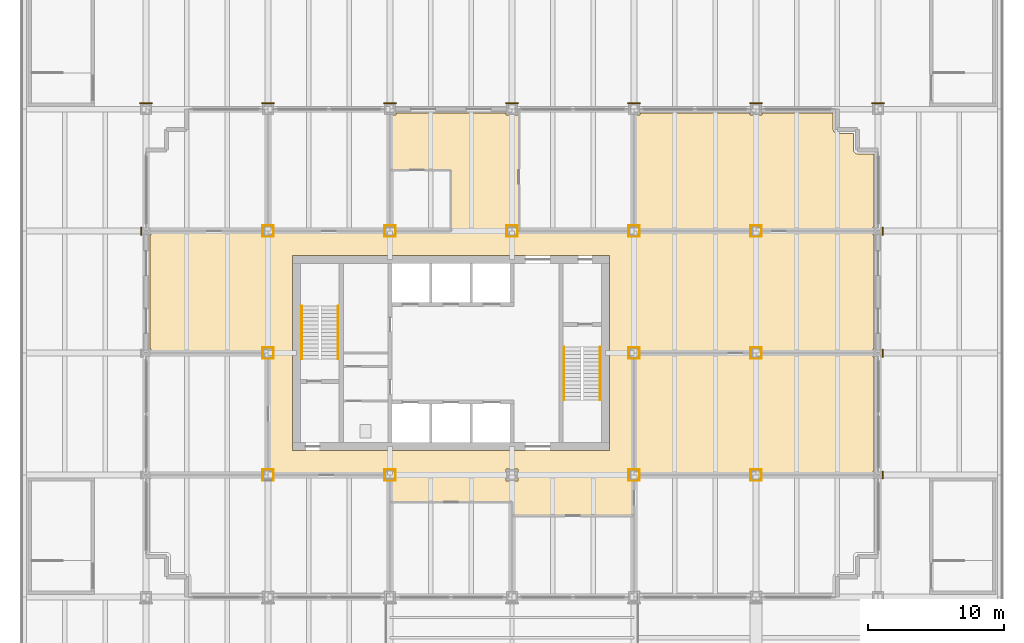
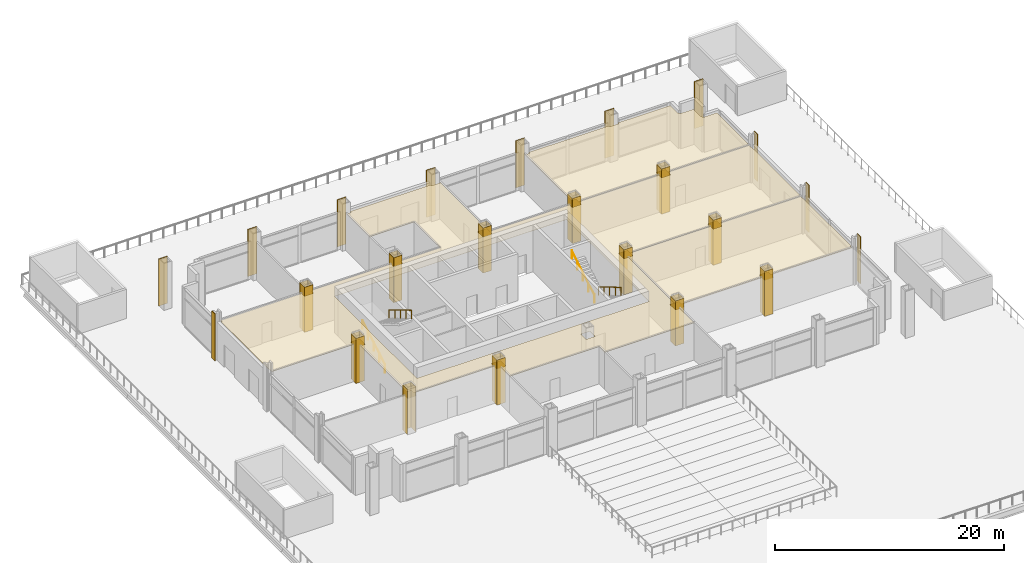
# One storey, part 14 of 16: 61 coverings, 4 railings.
"""IFC4 building model written with IfcOpenShell, lengths in metres."""

from ifc_helpers import new_model, si_unit, direction, frame, origin, origin_2d, place, context, subcontext, project, spatial, polyline, rectangle, circle, outline, extrude, material, layer, layer_set, type_object, element, save


model = new_model("IFC4")

# Units and contexts
model_context = context("Model", 3, precision=1e-05, world=origin(), true_north=direction((0.0, 1.0)))
body_context = subcontext(model_context, "Body", "Model", "MODEL_VIEW")
ifc_project = project(units=[si_unit("LENGTHUNIT", "METRE"), si_unit("AREAUNIT", "SQUARE_METRE"), si_unit("VOLUMEUNIT", "CUBIC_METRE"), si_unit("PLANEANGLEUNIT", "RADIAN"), si_unit("MASSUNIT", "GRAM", prefix="KILO")], contexts=[model_context])

# Site, building, storey
site_placement = place(None, origin())
site = spatial("IfcSite", under=ifc_project, at=site_placement, CompositionType="ELEMENT")
building_placement = place(site_placement, origin())
building = spatial("IfcBuilding", under=site, at=building_placement, Name="Loomwork Tower", CompositionType="ELEMENT")
storey_placement = place(building_placement, frame((0.0, 0.0, 23.0)))
storey = spatial("IfcBuildingStorey", under=building, at=storey_placement, Name="L04", CompositionType="ELEMENT", Elevation=23.0)

# Coverings
ifc_material_1 = material(Name="Two-hour fire-rated gypsum board casing")
ifc_layer_1 = layer(ifc_material_1, 0.02490234375)
ifc_layer_set_1 = layer_set([ifc_layer_1], Name="Column fire casing 25")
covering_type_1 = type_object("IfcCoveringType", Name="Column fire casing 25", PredefinedType="CLADDING", material=ifc_layer_set_1)
covering_1_placement = place(storey_placement, frame((9.0, 9.41259765625, 0.0), z_axis=(0.0, 0.0, 1.0), x_axis=(1.0, 0.0, 0.0)))
element("IfcCovering", 1, at=covering_1_placement, inside=storey, type_object=covering_type_1, Name="Column casing 9 9 L04", PredefinedType="CLADDING", context=body_context, shape_type="SweptSolid", body=[
    extrude(rectangle(XDim=0.85009765625, YDim=0.02490234375, at=origin_2d()), origin(), (0.0, 0.0, 1.0), 4.800048828125),
])
for number, where, z_axis, x_axis, name in (
    (2, (9.41259765625, 9.0, 0.0), (0.0, 0.0, 1.0), (1.0, 0.0, 0.0), "Column casing 9 9 L04"),
    (3, (8.58740234375, 9.0, 0.0), (0.0, 0.0, 1.0), (1.0, 0.0, 0.0), "Column casing 9 9 L04"),
):
    element("IfcCovering", number, at=place(storey_placement, frame(where, z_axis=z_axis, x_axis=x_axis)), inside=storey, type_object=covering_type_1, Name=name, PredefinedType="CLADDING", context=body_context, shape_type="SweptSolid", body=[
        extrude(rectangle(XDim=0.02490234375, YDim=0.800048828125, at=origin_2d()), origin(), (0.0, 0.0, 1.0), 4.800048828125),
    ])
for number, where, z_axis, x_axis, name in (
    (4, (9.0, 18.41259765625, 0.0), (0.0, 0.0, 1.0), (1.0, 0.0, 0.0), "Column casing 9 18 L04"),
    (5, (9.0, 17.58740234375, 0.0), (0.0, 0.0, 1.0), (1.0, 0.0, 0.0), "Column casing 9 18 L04"),
):
    element("IfcCovering", number, at=place(storey_placement, frame(where, z_axis=z_axis, x_axis=x_axis)), inside=storey, type_object=covering_type_1, Name=name, PredefinedType="CLADDING", context=body_context, shape_type="SweptSolid", body=[
        extrude(rectangle(XDim=0.85009765625, YDim=0.02490234375, at=origin_2d()), origin(), (0.0, 0.0, 1.0), 4.800048828125),
    ])
for number, where, z_axis, x_axis, name in (
    (6, (9.41259765625, 18.0, 0.0), (0.0, 0.0, 1.0), (1.0, 0.0, 0.0), "Column casing 9 18 L04"),
    (7, (8.58740234375, 18.0, 0.0), (0.0, 0.0, 1.0), (1.0, 0.0, 0.0), "Column casing 9 18 L04"),
):
    element("IfcCovering", number, at=place(storey_placement, frame(where, z_axis=z_axis, x_axis=x_axis)), inside=storey, type_object=covering_type_1, Name=name, PredefinedType="CLADDING", context=body_context, shape_type="SweptSolid", body=[
        extrude(rectangle(XDim=0.02490234375, YDim=0.800048828125, at=origin_2d()), origin(), (0.0, 0.0, 1.0), 4.800048828125),
    ])
for number, where, z_axis, x_axis, name in (
    (8, (9.0, 27.41259765625, 0.0), (0.0, 0.0, 1.0), (1.0, 0.0, 0.0), "Column casing 9 27 L04"),
    (9, (9.0, 26.58740234375, 0.0), (0.0, 0.0, 1.0), (1.0, 0.0, 0.0), "Column casing 9 27 L04"),
):
    element("IfcCovering", number, at=place(storey_placement, frame(where, z_axis=z_axis, x_axis=x_axis)), inside=storey, type_object=covering_type_1, Name=name, PredefinedType="CLADDING", context=body_context, shape_type="SweptSolid", body=[
        extrude(rectangle(XDim=0.85009765625, YDim=0.02490234375, at=origin_2d()), origin(), (0.0, 0.0, 1.0), 4.800048828125),
    ])
for number, where, z_axis, x_axis, name in (
    (10, (9.41259765625, 27.0, 0.0), (0.0, 0.0, 1.0), (1.0, 0.0, 0.0), "Column casing 9 27 L04"),
    (11, (8.58740234375, 27.0, 0.0), (0.0, 0.0, 1.0), (1.0, 0.0, 0.0), "Column casing 9 27 L04"),
):
    element("IfcCovering", number, at=place(storey_placement, frame(where, z_axis=z_axis, x_axis=x_axis)), inside=storey, type_object=covering_type_1, Name=name, PredefinedType="CLADDING", context=body_context, shape_type="SweptSolid", body=[
        extrude(rectangle(XDim=0.02490234375, YDim=0.800048828125, at=origin_2d()), origin(), (0.0, 0.0, 1.0), 4.800048828125),
    ])
for number, where, z_axis, x_axis, name in (
    (12, (18.0, 9.41259765625, 0.0), (0.0, 0.0, 1.0), (1.0, 0.0, 0.0), "Column casing 18 9 L04"),
    (13, (18.0, 8.58740234375, 0.0), (0.0, 0.0, 1.0), (1.0, 0.0, 0.0), "Column casing 18 9 L04"),
):
    element("IfcCovering", number, at=place(storey_placement, frame(where, z_axis=z_axis, x_axis=x_axis)), inside=storey, type_object=covering_type_1, Name=name, PredefinedType="CLADDING", context=body_context, shape_type="SweptSolid", body=[
        extrude(rectangle(XDim=0.85009765625, YDim=0.02490234375, at=origin_2d()), origin(), (0.0, 0.0, 1.0), 4.800048828125),
    ])
for number, where, z_axis, x_axis, name in (
    (14, (18.41259765625, 9.0, 0.0), (0.0, 0.0, 1.0), (1.0, 0.0, 0.0), "Column casing 18 9 L04"),
    (15, (17.58740234375, 9.0, 0.0), (0.0, 0.0, 1.0), (1.0, 0.0, 0.0), "Column casing 18 9 L04"),
):
    element("IfcCovering", number, at=place(storey_placement, frame(where, z_axis=z_axis, x_axis=x_axis)), inside=storey, type_object=covering_type_1, Name=name, PredefinedType="CLADDING", context=body_context, shape_type="SweptSolid", body=[
        extrude(rectangle(XDim=0.02490234375, YDim=0.800048828125, at=origin_2d()), origin(), (0.0, 0.0, 1.0), 4.800048828125),
    ])
for number, where, z_axis, x_axis, name in (
    (16, (18.0, 27.41259765625, 0.0), (0.0, 0.0, 1.0), (1.0, 0.0, 0.0), "Column casing 18 27 L04"),
    (17, (18.0, 26.58740234375, 0.0), (0.0, 0.0, 1.0), (1.0, 0.0, 0.0), "Column casing 18 27 L04"),
):
    element("IfcCovering", number, at=place(storey_placement, frame(where, z_axis=z_axis, x_axis=x_axis)), inside=storey, type_object=covering_type_1, Name=name, PredefinedType="CLADDING", context=body_context, shape_type="SweptSolid", body=[
        extrude(rectangle(XDim=0.85009765625, YDim=0.02490234375, at=origin_2d()), origin(), (0.0, 0.0, 1.0), 4.800048828125),
    ])
for number, where, z_axis, x_axis, name in (
    (18, (18.41259765625, 27.0, 0.0), (0.0, 0.0, 1.0), (1.0, 0.0, 0.0), "Column casing 18 27 L04"),
    (19, (17.58740234375, 27.0, 0.0), (0.0, 0.0, 1.0), (1.0, 0.0, 0.0), "Column casing 18 27 L04"),
):
    element("IfcCovering", number, at=place(storey_placement, frame(where, z_axis=z_axis, x_axis=x_axis)), inside=storey, type_object=covering_type_1, Name=name, PredefinedType="CLADDING", context=body_context, shape_type="SweptSolid", body=[
        extrude(rectangle(XDim=0.02490234375, YDim=0.800048828125, at=origin_2d()), origin(), (0.0, 0.0, 1.0), 4.800048828125),
    ])
for number, where, z_axis, x_axis, name in (
    (20, (27.0, 27.41259765625, 0.0), (0.0, 0.0, 1.0), (1.0, 0.0, 0.0), "Column casing 27 27 L04"),
    (21, (27.0, 26.58740234375, 0.0), (0.0, 0.0, 1.0), (1.0, 0.0, 0.0), "Column casing 27 27 L04"),
):
    element("IfcCovering", number, at=place(storey_placement, frame(where, z_axis=z_axis, x_axis=x_axis)), inside=storey, type_object=covering_type_1, Name=name, PredefinedType="CLADDING", context=body_context, shape_type="SweptSolid", body=[
        extrude(rectangle(XDim=0.85009765625, YDim=0.02490234375, at=origin_2d()), origin(), (0.0, 0.0, 1.0), 4.800048828125),
    ])
for number, where, z_axis, x_axis, name in (
    (22, (27.41259765625, 27.0, 0.0), (0.0, 0.0, 1.0), (1.0, 0.0, 0.0), "Column casing 27 27 L04"),
    (23, (26.58740234375, 27.0, 0.0), (0.0, 0.0, 1.0), (1.0, 0.0, 0.0), "Column casing 27 27 L04"),
):
    element("IfcCovering", number, at=place(storey_placement, frame(where, z_axis=z_axis, x_axis=x_axis)), inside=storey, type_object=covering_type_1, Name=name, PredefinedType="CLADDING", context=body_context, shape_type="SweptSolid", body=[
        extrude(rectangle(XDim=0.02490234375, YDim=0.800048828125, at=origin_2d()), origin(), (0.0, 0.0, 1.0), 4.800048828125),
    ])
for number, where, z_axis, x_axis, name in (
    (24, (36.0, 9.41259765625, 0.0), (0.0, 0.0, 1.0), (1.0, 0.0, 0.0), "Column casing 36 9 L04"),
    (25, (36.0, 8.58740234375, 0.0), (0.0, 0.0, 1.0), (1.0, 0.0, 0.0), "Column casing 36 9 L04"),
):
    element("IfcCovering", number, at=place(storey_placement, frame(where, z_axis=z_axis, x_axis=x_axis)), inside=storey, type_object=covering_type_1, Name=name, PredefinedType="CLADDING", context=body_context, shape_type="SweptSolid", body=[
        extrude(rectangle(XDim=0.85009765625, YDim=0.02490234375, at=origin_2d()), origin(), (0.0, 0.0, 1.0), 4.800048828125),
    ])
for number, where, z_axis, x_axis, name in (
    (26, (36.41259765625, 9.0, 0.0), (0.0, 0.0, 1.0), (1.0, 0.0, 0.0), "Column casing 36 9 L04"),
    (27, (35.58740234375, 9.0, 0.0), (0.0, 0.0, 1.0), (1.0, 0.0, 0.0), "Column casing 36 9 L04"),
):
    element("IfcCovering", number, at=place(storey_placement, frame(where, z_axis=z_axis, x_axis=x_axis)), inside=storey, type_object=covering_type_1, Name=name, PredefinedType="CLADDING", context=body_context, shape_type="SweptSolid", body=[
        extrude(rectangle(XDim=0.02490234375, YDim=0.800048828125, at=origin_2d()), origin(), (0.0, 0.0, 1.0), 4.800048828125),
    ])
for number, where, z_axis, x_axis, name in (
    (28, (36.0, 18.41259765625, 0.0), (0.0, 0.0, 1.0), (1.0, 0.0, 0.0), "Column casing 36 18 L04"),
    (29, (36.0, 17.58740234375, 0.0), (0.0, 0.0, 1.0), (1.0, 0.0, 0.0), "Column casing 36 18 L04"),
):
    element("IfcCovering", number, at=place(storey_placement, frame(where, z_axis=z_axis, x_axis=x_axis)), inside=storey, type_object=covering_type_1, Name=name, PredefinedType="CLADDING", context=body_context, shape_type="SweptSolid", body=[
        extrude(rectangle(XDim=0.85009765625, YDim=0.02490234375, at=origin_2d()), origin(), (0.0, 0.0, 1.0), 4.800048828125),
    ])
for number, where, z_axis, x_axis, name in (
    (30, (36.41259765625, 18.0, 0.0), (0.0, 0.0, 1.0), (1.0, 0.0, 0.0), "Column casing 36 18 L04"),
    (31, (35.58740234375, 18.0, 0.0), (0.0, 0.0, 1.0), (1.0, 0.0, 0.0), "Column casing 36 18 L04"),
):
    element("IfcCovering", number, at=place(storey_placement, frame(where, z_axis=z_axis, x_axis=x_axis)), inside=storey, type_object=covering_type_1, Name=name, PredefinedType="CLADDING", context=body_context, shape_type="SweptSolid", body=[
        extrude(rectangle(XDim=0.02490234375, YDim=0.800048828125, at=origin_2d()), origin(), (0.0, 0.0, 1.0), 4.800048828125),
    ])
for number, where, z_axis, x_axis, name in (
    (32, (36.0, 27.41259765625, 0.0), (0.0, 0.0, 1.0), (1.0, 0.0, 0.0), "Column casing 36 27 L04"),
    (33, (36.0, 26.58740234375, 0.0), (0.0, 0.0, 1.0), (1.0, 0.0, 0.0), "Column casing 36 27 L04"),
):
    element("IfcCovering", number, at=place(storey_placement, frame(where, z_axis=z_axis, x_axis=x_axis)), inside=storey, type_object=covering_type_1, Name=name, PredefinedType="CLADDING", context=body_context, shape_type="SweptSolid", body=[
        extrude(rectangle(XDim=0.85009765625, YDim=0.02490234375, at=origin_2d()), origin(), (0.0, 0.0, 1.0), 4.800048828125),
    ])
for number, where, z_axis, x_axis, name in (
    (34, (36.41259765625, 27.0, 0.0), (0.0, 0.0, 1.0), (1.0, 0.0, 0.0), "Column casing 36 27 L04"),
    (35, (35.58740234375, 27.0, 0.0), (0.0, 0.0, 1.0), (1.0, 0.0, 0.0), "Column casing 36 27 L04"),
):
    element("IfcCovering", number, at=place(storey_placement, frame(where, z_axis=z_axis, x_axis=x_axis)), inside=storey, type_object=covering_type_1, Name=name, PredefinedType="CLADDING", context=body_context, shape_type="SweptSolid", body=[
        extrude(rectangle(XDim=0.02490234375, YDim=0.800048828125, at=origin_2d()), origin(), (0.0, 0.0, 1.0), 4.800048828125),
    ])
for number, where, z_axis, x_axis, name in (
    (36, (45.0, 9.41259765625, 0.0), (0.0, 0.0, 1.0), (1.0, 0.0, 0.0), "Column casing 45 9 L04"),
    (37, (45.0, 8.58740234375, 0.0), (0.0, 0.0, 1.0), (1.0, 0.0, 0.0), "Column casing 45 9 L04"),
):
    element("IfcCovering", number, at=place(storey_placement, frame(where, z_axis=z_axis, x_axis=x_axis)), inside=storey, type_object=covering_type_1, Name=name, PredefinedType="CLADDING", context=body_context, shape_type="SweptSolid", body=[
        extrude(rectangle(XDim=0.85009765625, YDim=0.02490234375, at=origin_2d()), origin(), (0.0, 0.0, 1.0), 4.800048828125),
    ])
for number, where, z_axis, x_axis, name in (
    (38, (45.41259765625, 9.0, 0.0), (0.0, 0.0, 1.0), (1.0, 0.0, 0.0), "Column casing 45 9 L04"),
    (39, (44.58740234375, 9.0, 0.0), (0.0, 0.0, 1.0), (1.0, 0.0, 0.0), "Column casing 45 9 L04"),
):
    element("IfcCovering", number, at=place(storey_placement, frame(where, z_axis=z_axis, x_axis=x_axis)), inside=storey, type_object=covering_type_1, Name=name, PredefinedType="CLADDING", context=body_context, shape_type="SweptSolid", body=[
        extrude(rectangle(XDim=0.02490234375, YDim=0.800048828125, at=origin_2d()), origin(), (0.0, 0.0, 1.0), 4.800048828125),
    ])
for number, where, z_axis, x_axis, name in (
    (40, (45.0, 18.41259765625, 0.0), (0.0, 0.0, 1.0), (1.0, 0.0, 0.0), "Column casing 45 18 L04"),
    (41, (45.0, 17.58740234375, 0.0), (0.0, 0.0, 1.0), (1.0, 0.0, 0.0), "Column casing 45 18 L04"),
):
    element("IfcCovering", number, at=place(storey_placement, frame(where, z_axis=z_axis, x_axis=x_axis)), inside=storey, type_object=covering_type_1, Name=name, PredefinedType="CLADDING", context=body_context, shape_type="SweptSolid", body=[
        extrude(rectangle(XDim=0.85009765625, YDim=0.02490234375, at=origin_2d()), origin(), (0.0, 0.0, 1.0), 4.800048828125),
    ])
for number, where, z_axis, x_axis, name in (
    (42, (45.41259765625, 18.0, 0.0), (0.0, 0.0, 1.0), (1.0, 0.0, 0.0), "Column casing 45 18 L04"),
    (43, (44.58740234375, 18.0, 0.0), (0.0, 0.0, 1.0), (1.0, 0.0, 0.0), "Column casing 45 18 L04"),
):
    element("IfcCovering", number, at=place(storey_placement, frame(where, z_axis=z_axis, x_axis=x_axis)), inside=storey, type_object=covering_type_1, Name=name, PredefinedType="CLADDING", context=body_context, shape_type="SweptSolid", body=[
        extrude(rectangle(XDim=0.02490234375, YDim=0.800048828125, at=origin_2d()), origin(), (0.0, 0.0, 1.0), 4.800048828125),
    ])
for number, where, z_axis, x_axis, name in (
    (44, (45.0, 27.41259765625, 0.0), (0.0, 0.0, 1.0), (1.0, 0.0, 0.0), "Column casing 45 27 L04"),
    (45, (45.0, 26.58740234375, 0.0), (0.0, 0.0, 1.0), (1.0, 0.0, 0.0), "Column casing 45 27 L04"),
):
    element("IfcCovering", number, at=place(storey_placement, frame(where, z_axis=z_axis, x_axis=x_axis)), inside=storey, type_object=covering_type_1, Name=name, PredefinedType="CLADDING", context=body_context, shape_type="SweptSolid", body=[
        extrude(rectangle(XDim=0.85009765625, YDim=0.02490234375, at=origin_2d()), origin(), (0.0, 0.0, 1.0), 4.800048828125),
    ])
for number, where, z_axis, x_axis, name in (
    (46, (45.41259765625, 27.0, 0.0), (0.0, 0.0, 1.0), (1.0, 0.0, 0.0), "Column casing 45 27 L04"),
    (47, (44.58740234375, 27.0, 0.0), (0.0, 0.0, 1.0), (1.0, 0.0, 0.0), "Column casing 45 27 L04"),
):
    element("IfcCovering", number, at=place(storey_placement, frame(where, z_axis=z_axis, x_axis=x_axis)), inside=storey, type_object=covering_type_1, Name=name, PredefinedType="CLADDING", context=body_context, shape_type="SweptSolid", body=[
        extrude(rectangle(XDim=0.02490234375, YDim=0.800048828125, at=origin_2d()), origin(), (0.0, 0.0, 1.0), 4.800048828125),
    ])

# Railings
ifc_material_2 = material(Name="Stainless steel handrail", Category="steel")
railing_type = type_object("IfcRailingType", Name="Handrail 900", PredefinedType="HANDRAIL", material=ifc_material_2)
railing_1_placement = place(storey_placement, frame((11.485107421875, 17.550048828125, 0.166748046875)))
element("IfcRailing", 48, at=railing_1_placement, inside=storey, type_object=railing_type, Name="Stair A handrail flight 1 L04", PredefinedType="HANDRAIL", context=body_context, shape_type="SweptSolid", body=[
    extrude(circle(Radius=0.02392578125, at=origin_2d()), frame((0.0, 0.0, 0.8759765625), z_axis=(0.0, 0.859296244711, 0.511478214419), x_axis=(-1.0, 0.0, 0.0)), (0.0, 0.0, 1.0), 4.561767578125),
    extrude(circle(Radius=0.02099609375, at=origin_2d()), origin(), (0.0, 0.0, 1.0), 0.851806640625),
    extrude(circle(Radius=0.02099609375, at=origin_2d()), frame((0.0, 0.97998046875, 0.583251953125)), (0.0, 0.0, 1.0), 0.851806640625),
    extrude(circle(Radius=0.02099609375, at=origin_2d()), frame((0.0, 1.9599609375, 1.16650390625)), (0.0, 0.0, 1.0), 0.851806640625),
    extrude(circle(Radius=0.02099609375, at=origin_2d()), frame((0.0, 2.93994140625, 1.75)), (0.0, 0.0, 1.0), 0.851806640625),
    extrude(circle(Radius=0.02099609375, at=origin_2d()), frame((0.0, 3.919921875, 2.333251953125)), (0.0, 0.0, 1.0), 0.851806640625),
])
for number, where, name in (
    (49, (14.1650390625, 21.469970703125, 2.666748046875), "Stair A handrail flight 2 L04"),
    (50, (33.514892578125, 18.449951171875, 0.166748046875), "Stair B handrail flight 1 L04"),
):
    element("IfcRailing", number, at=place(storey_placement, frame(where)), inside=storey, type_object=railing_type, Name=name, PredefinedType="HANDRAIL", context=body_context, shape_type="SweptSolid", body=[
        extrude(circle(Radius=0.02392578125, at=origin_2d()), frame((0.0, 0.0, 0.8759765625), z_axis=(0.0, -0.859296244711, 0.511478214419), x_axis=(1.0, 0.0, 0.0)), (0.0, 0.0, 1.0), 4.561767578125),
        extrude(circle(Radius=0.02099609375, at=origin_2d()), origin(), (0.0, 0.0, 1.0), 0.851806640625),
        extrude(circle(Radius=0.02099609375, at=origin_2d()), frame((0.0, -0.97998046875, 0.583251953125)), (0.0, 0.0, 1.0), 0.851806640625),
        extrude(circle(Radius=0.02099609375, at=origin_2d()), frame((0.0, -1.9599609375, 1.16650390625)), (0.0, 0.0, 1.0), 0.851806640625),
        extrude(circle(Radius=0.02099609375, at=origin_2d()), frame((0.0, -2.93994140625, 1.75)), (0.0, 0.0, 1.0), 0.851806640625),
        extrude(circle(Radius=0.02099609375, at=origin_2d()), frame((0.0, -3.919921875, 2.333251953125)), (0.0, 0.0, 1.0), 0.851806640625),
    ])
railing_2_placement = place(storey_placement, frame((30.8349609375, 14.530029296875, 2.666748046875)))
element("IfcRailing", 51, at=railing_2_placement, inside=storey, type_object=railing_type, Name="Stair B handrail flight 2 L04", PredefinedType="HANDRAIL", context=body_context, shape_type="SweptSolid", body=[
    extrude(circle(Radius=0.02392578125, at=origin_2d()), frame((0.0, 0.0, 0.8759765625), z_axis=(0.0, 0.859296244711, 0.511478214419), x_axis=(-1.0, 0.0, 0.0)), (0.0, 0.0, 1.0), 4.561767578125),
    extrude(circle(Radius=0.02099609375, at=origin_2d()), origin(), (0.0, 0.0, 1.0), 0.851806640625),
    extrude(circle(Radius=0.02099609375, at=origin_2d()), frame((0.0, 0.97998046875, 0.583251953125)), (0.0, 0.0, 1.0), 0.851806640625),
    extrude(circle(Radius=0.02099609375, at=origin_2d()), frame((0.0, 1.9599609375, 1.16650390625)), (0.0, 0.0, 1.0), 0.851806640625),
    extrude(circle(Radius=0.02099609375, at=origin_2d()), frame((0.0, 2.93994140625, 1.75)), (0.0, 0.0, 1.0), 0.851806640625),
    extrude(circle(Radius=0.02099609375, at=origin_2d()), frame((0.0, 3.919921875, 2.333251953125)), (0.0, 0.0, 1.0), 0.851806640625),
])

# Coverings
ifc_material_3 = material(Name="Limestone", Category="masonry")
ifc_layer_2 = layer(ifc_material_3, 0.080078125)
ifc_layer_set_2 = layer_set([ifc_layer_2], Name="Limestone pier facing 80")
covering_type_2 = type_object("IfcCoveringType", Name="Limestone pier facing 80", PredefinedType="CLADDING", material=ifc_layer_set_2)
covering_2_placement = place(storey_placement, frame((-0.339599609375, 27.0, 0.0), z_axis=(0.0, 0.0, 1.0), x_axis=(1.0, 0.0, 0.0)))
element("IfcCovering", 52, at=covering_2_placement, inside=storey, type_object=covering_type_2, Name="Pier facing G/2 L04", PredefinedType="CLADDING", context=body_context, shape_type="SweptSolid", body=[
    extrude(rectangle(XDim=0.080078125, YDim=0.577392578125, at=origin_2d()), origin(), (0.0, 0.0, 1.0), 5.0),
])
for number, where, z_axis, x_axis, name in (
    (53, (0.0, 36.43994140625, 0.0), (0.0, 0.0, 1.0), (1.0, 0.0, 0.0), "Pier facing H/2 L04"),
    (54, (9.0, 36.43994140625, 0.0), (0.0, 0.0, 1.0), (1.0, 0.0, 0.0), "Pier facing H/3 L04"),
    (55, (18.0, 36.43994140625, 0.0), (0.0, 0.0, 1.0), (1.0, 0.0, 0.0), "Pier facing H/4 L04"),
    (56, (27.0, 36.43994140625, 0.0), (0.0, 0.0, 1.0), (1.0, 0.0, 0.0), "Pier facing H/5 L04"),
    (57, (36.0, 36.43994140625, 0.0), (0.0, 0.0, 1.0), (1.0, 0.0, 0.0), "Pier facing H/6 L04"),
    (58, (45.0, 36.43994140625, 0.0), (0.0, 0.0, 1.0), (1.0, 0.0, 0.0), "Pier facing H/7 L04"),
):
    element("IfcCovering", number, at=place(storey_placement, frame(where, z_axis=z_axis, x_axis=x_axis)), inside=storey, type_object=covering_type_2, Name=name, PredefinedType="CLADDING", context=body_context, shape_type="SweptSolid", body=[
        extrude(rectangle(XDim=0.89990234375, YDim=0.080078125, at=origin_2d()), origin(), (0.0, 0.0, 1.0), 5.0),
    ])
for number, where, z_axis, x_axis, name in (
    (59, (54.339599609375, 9.0, 0.0), (0.0, 0.0, 1.0), (1.0, 0.0, 0.0), "Pier facing E/8 L04"),
    (60, (54.339599609375, 18.0, 0.0), (0.0, 0.0, 1.0), (1.0, 0.0, 0.0), "Pier facing F/8 L04"),
    (61, (54.339599609375, 27.0, 0.0), (0.0, 0.0, 1.0), (1.0, 0.0, 0.0), "Pier facing G/8 L04"),
):
    element("IfcCovering", number, at=place(storey_placement, frame(where, z_axis=z_axis, x_axis=x_axis)), inside=storey, type_object=covering_type_2, Name=name, PredefinedType="CLADDING", context=body_context, shape_type="SweptSolid", body=[
        extrude(rectangle(XDim=0.080078125, YDim=0.577392578125, at=origin_2d()), origin(), (0.0, 0.0, 1.0), 5.0),
    ])
covering_3_placement = place(storey_placement, frame((54.0, 36.43994140625, 0.0), z_axis=(0.0, 0.0, 1.0), x_axis=(1.0, 0.0, 0.0)))
element("IfcCovering", 62, at=covering_3_placement, inside=storey, type_object=covering_type_2, Name="Pier facing H/8 L04", PredefinedType="CLADDING", context=body_context, shape_type="SweptSolid", body=[
    extrude(rectangle(XDim=0.89990234375, YDim=0.080078125, at=origin_2d()), origin(), (0.0, 0.0, 1.0), 5.0),
])
ifc_material_4 = material(Name="Mineral fibre acoustic tile on suspension grid")
ifc_layer_3 = layer(ifc_material_4, 0.02490234375)
ifc_layer_set_3 = layer_set([ifc_layer_3], Name="Suspended acoustic ceiling")
covering_type_3 = type_object("IfcCoveringType", Name="Suspended acoustic ceiling", PredefinedType="CEILING", material=ifc_layer_set_3)
covering_4_placement = place(storey_placement, frame((0.0, 0.0, 3.875)))
element("IfcCovering", 63, at=covering_4_placement, inside=storey, type_object=covering_type_3, Name="Ceiling All-day restaurant L04", PredefinedType="CEILING", context=body_context, shape_type="SweptSolid", body=[
    extrude(outline(polyline([(44.550048828125, 18.0), (44.550048828125, 17.550048828125), (45.449951171875, 17.550048828125), (45.449951171875, 18.0), (53.650390625, 18.0), (53.650390625, 17.711181640625), (53.699951171875, 17.711181640625), (53.699951171875, 9.288818359375), (53.650390625, 9.288818359375), (53.650390625, 9.0), (45.449951171875, 9.0), (45.449951171875, 9.449951171875), (44.550048828125, 9.449951171875), (44.550048828125, 9.0), (36.449951171875, 9.0), (36.449951171875, 9.449951171875), (36.0, 9.449951171875), (36.0, 17.550048828125), (36.449951171875, 17.550048828125), (36.449951171875, 18.0), (44.550048828125, 18.0)])), origin(), (0.0, 0.0, 1.0), 0.02490234375),
])
covering_5_placement = place(storey_placement, frame((0.0, 0.0, 3.875)))
element("IfcCovering", 64, at=covering_5_placement, inside=storey, type_object=covering_type_3, Name="Ceiling Business lounge L04", PredefinedType="CEILING", context=body_context, shape_type="SweptSolid", body=[
    extrude(outline(polyline([(44.550048828125, 35.699951171875), (44.550048828125, 35.550048828125), (45.449951171875, 35.550048828125), (45.449951171875, 35.699951171875), (50.699951171875, 35.699951171875), (50.699951171875, 34.5), (50.701416015625, 34.470703125), (50.705810546875, 34.44140625), (50.712890625, 34.412841796875), (50.722900390625, 34.38525390625), (50.7353515625, 34.358642578125), (50.75048828125, 34.333251953125), (50.76806640625, 34.309814453125), (50.787841796875, 34.287841796875), (50.809814453125, 34.26806640625), (50.833251953125, 34.25048828125), (50.858642578125, 34.2353515625), (50.88525390625, 34.222900390625), (50.912841796875, 34.212890625), (50.94140625, 34.205810546875), (50.970703125, 34.201416015625), (51.0, 34.199951171875), (52.199951171875, 34.199951171875), (52.199951171875, 33.0), (52.201416015625, 32.970703125), (52.205810546875, 32.94140625), (52.212890625, 32.912841796875), (52.222900390625, 32.88525390625), (52.2353515625, 32.858642578125), (52.25048828125, 32.833251953125), (52.26806640625, 32.809814453125), (52.287841796875, 32.787841796875), (52.309814453125, 32.76806640625), (52.333251953125, 32.75048828125), (52.358642578125, 32.7353515625), (52.38525390625, 32.722900390625), (52.412841796875, 32.712890625), (52.44140625, 32.705810546875), (52.470703125, 32.701416015625), (52.5, 32.699951171875), (53.699951171875, 32.699951171875), (53.699951171875, 27.288818359375), (53.650390625, 27.288818359375), (53.650390625, 27.0), (45.449951171875, 27.0), (45.449951171875, 27.449951171875), (44.550048828125, 27.449951171875), (44.550048828125, 27.0), (36.449951171875, 27.0), (36.449951171875, 27.449951171875), (36.0, 27.449951171875), (36.0, 35.550048828125), (36.449951171875, 35.550048828125), (36.449951171875, 35.699951171875), (44.550048828125, 35.699951171875)])), origin(), (0.0, 0.0, 1.0), 0.02490234375),
])
covering_6_placement = place(storey_placement, frame((0.0, 0.0, 3.875)))
element("IfcCovering", 65, at=covering_6_placement, inside=storey, type_object=covering_type_3, Name="Ceiling Hotel sky lobby L04", PredefinedType="CEILING", context=body_context, shape_type="SweptSolid", body=[
    extrude(outline(polyline([(8.550048828125, 27.0), (8.550048828125, 26.550048828125), (9.449951171875, 26.550048828125), (9.449951171875, 27.0), (17.550048828125, 27.0), (17.550048828125, 26.550048828125), (18.449951171875, 26.550048828125), (18.449951171875, 27.0), (22.5, 27.0), (22.5, 31.5), (18.0, 31.5), (18.0, 35.550048828125), (18.449951171875, 35.550048828125), (18.449951171875, 35.699951171875), (26.550048828125, 35.699951171875), (26.550048828125, 35.550048828125), (27.449951171875, 35.550048828125), (27.449951171875, 35.699951171875), (27.5, 35.699951171875), (27.5, 27.0), (35.550048828125, 27.0), (35.550048828125, 26.550048828125), (36.449951171875, 26.550048828125), (36.449951171875, 27.0), (44.550048828125, 27.0), (44.550048828125, 26.550048828125), (45.449951171875, 26.550048828125), (45.449951171875, 27.0), (53.650390625, 27.0), (53.650390625, 26.711181640625), (53.699951171875, 26.711181640625), (53.699951171875, 18.288818359375), (53.650390625, 18.288818359375), (53.650390625, 18.0), (45.449951171875, 18.0), (45.449951171875, 18.449951171875), (44.550048828125, 18.449951171875), (44.550048828125, 18.0), (36.449951171875, 18.0), (36.449951171875, 18.449951171875), (35.550048828125, 18.449951171875), (35.550048828125, 17.550048828125), (36.0, 17.550048828125), (36.0, 9.449951171875), (35.550048828125, 9.449951171875), (35.550048828125, 8.550048828125), (36.0, 8.550048828125), (36.0, 6.0), (27.0, 6.0), (27.0, 7.0), (18.0, 7.0), (18.0, 8.550048828125), (18.449951171875, 8.550048828125), (18.449951171875, 9.449951171875), (17.550048828125, 9.449951171875), (17.550048828125, 9.0), (9.449951171875, 9.0), (9.449951171875, 9.449951171875), (9.0, 9.449951171875), (9.0, 17.550048828125), (9.449951171875, 17.550048828125), (9.449951171875, 18.449951171875), (8.550048828125, 18.449951171875), (8.550048828125, 18.0), (0.349609375, 18.0), (0.349609375, 18.288818359375), (0.300048828125, 18.288818359375), (0.300048828125, 26.711181640625), (0.349609375, 26.711181640625), (0.349609375, 27.0), (8.550048828125, 27.0)]), holes=[polyline([(10.800048828125, 10.800048828125), (34.199951171875, 10.800048828125), (34.199951171875, 25.199951171875), (10.800048828125, 25.199951171875), (10.800048828125, 10.800048828125)]), polyline([(27.449951171875, 8.550048828125), (27.449951171875, 9.449951171875), (26.550048828125, 9.449951171875), (26.550048828125, 8.550048828125), (27.449951171875, 8.550048828125)]), polyline([(27.449951171875, 26.550048828125), (27.449951171875, 27.449951171875), (26.550048828125, 27.449951171875), (26.550048828125, 26.550048828125), (27.449951171875, 26.550048828125)])]), origin(), (0.0, 0.0, 1.0), 0.02490234375),
])

save(model, "model.ifc")
